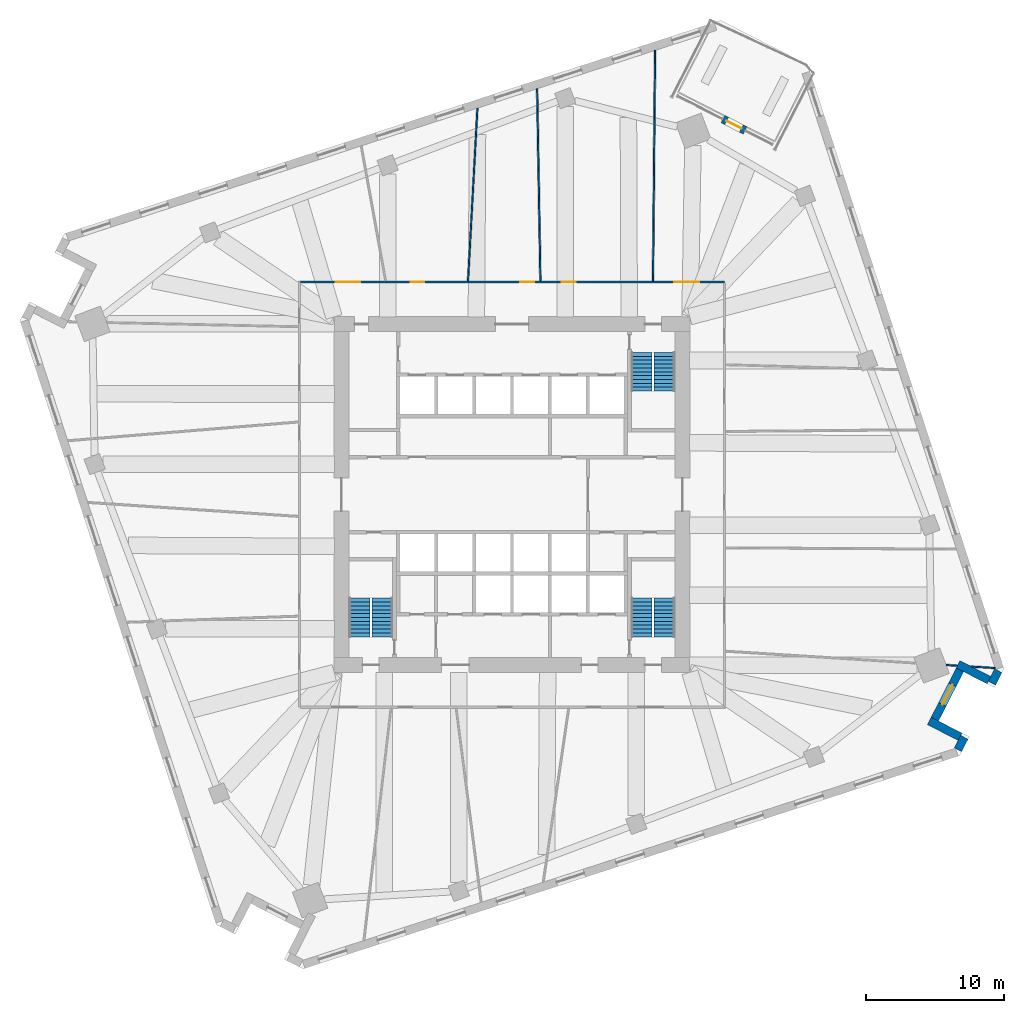
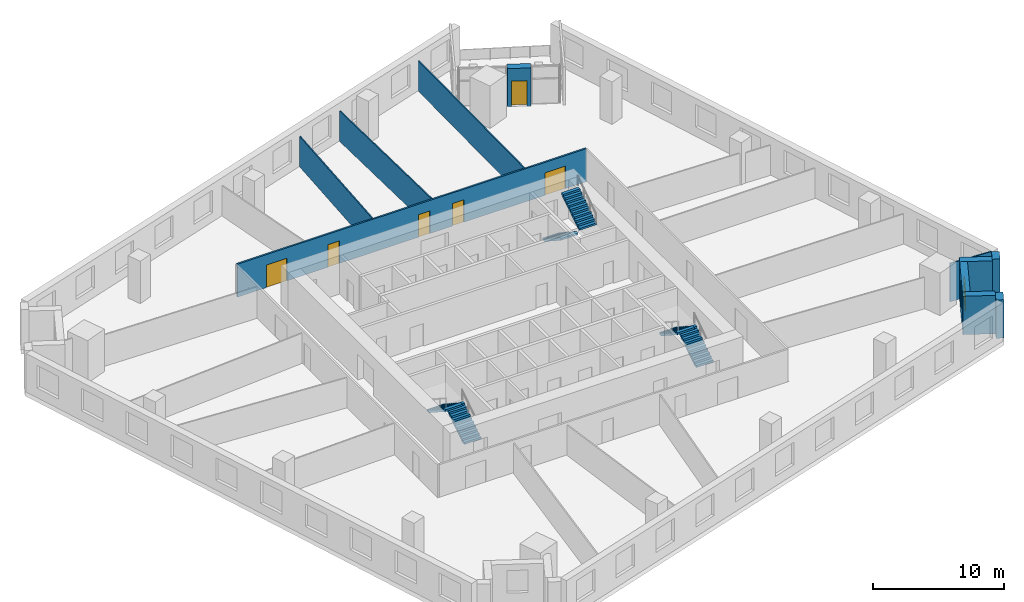
# One storey, part 10 of 12: 12 walls, 6 doors, 6 stair flights, 1 window, 7 openings, 3 elements without a shape of their own.
"""IFC4 building model written with IfcOpenShell, lengths in metres."""

from ifc_helpers import new_model, si_unit, direction, frame, frame_2d, origin, place, context, subcontext, project, spatial, polyline, rectangle, outline, extrude, material, layer, layer_set, type_object, element, fill, aggregate, save


model = new_model("IFC4")

# Units and contexts
model_context = context("Model", 3, precision=1e-05, world=origin(), true_north=direction((0.0, 1.0)))
body_context = subcontext(model_context, "Body", "Model", "MODEL_VIEW")
ifc_project = project(units=[si_unit("LENGTHUNIT", "METRE"), si_unit("AREAUNIT", "SQUARE_METRE"), si_unit("VOLUMEUNIT", "CUBIC_METRE"), si_unit("PLANEANGLEUNIT", "RADIAN"), si_unit("MASSUNIT", "GRAM", prefix="KILO")], contexts=[model_context])

# Site, building, storey
site_placement = place(None, origin())
site = spatial("IfcSite", under=ifc_project, at=site_placement, CompositionType="ELEMENT")
building_placement = place(site_placement, origin())
building = spatial("IfcBuilding", under=site, at=building_placement, Name="Dilmun Exchange Tower", CompositionType="ELEMENT")
storey_placement = place(building_placement, frame((0.0, 0.0, 94.10009765625)))
storey = spatial("IfcBuildingStorey", under=building, at=storey_placement, Name="L21", CompositionType="ELEMENT", Elevation=94.10009765625)

# Wall, openings, doors
ifc_material_1 = material(Name="Corridor wall 150")
ifc_layer_1 = layer(ifc_material_1, 0.14990234375)
ifc_layer_set_1 = layer_set([ifc_layer_1], Name="Corridor wall 150")
wall_type_1 = type_object("IfcWallType", Name="Corridor wall 150", PredefinedType="PARTITIONING", material=ifc_layer_set_1)
wall_1_placement = place(storey_placement, frame((-15.324951171875, 15.39990234375, 0.0), z_axis=(0.0, 0.0, 1.0), x_axis=(1.0, 0.0, 0.0)))
wall_1 = element("IfcWall", 1, at=wall_1_placement, inside=storey, type_object=wall_type_1, Name="Corridor wall", PredefinedType="PARTITIONING", context=body_context, shape_type="SweptSolid", body=[
    extrude(rectangle(XDim=30.724853515625, YDim=0.14990234375, at=frame_2d((15.3623046875, 0.0))), origin(), (0.0, 0.0, 1.0), 3.079833984375),
])
opening_1_placement = place(wall_1_placement, frame((2.550048828125, 0.0, 0.0)))
opening_1 = element("IfcOpeningElement", 2, at=opening_1_placement, cuts=wall_1, Name="Opening TF20-D04", PredefinedType="OPENING", context=body_context, shape_type="SweptSolid", body=[
    extrude(rectangle(XDim=1.800048828125, YDim=2.10009765625, at=frame_2d((0.89990234375, 1.050048828125))), frame((0.0, 0.0849609375, 0.0), z_axis=(0.0, -1.0, 0.0), x_axis=(1.0, 0.0, 0.0)), (0.0, 0.0, 1.0), 0.169921875),
])
opening_2_placement = place(wall_1_placement, frame((7.97998046875, 0.0, 0.0)))
opening_2 = element("IfcOpeningElement", 3, at=opening_2_placement, cuts=wall_1, Name="Opening TF20-D09", PredefinedType="OPENING", context=body_context, shape_type="SweptSolid", body=[
    extrude(rectangle(XDim=1.0, YDim=2.10009765625, at=frame_2d((0.5, 1.050048828125))), frame((0.0, 0.0849609375, 0.0), z_axis=(0.0, -1.0, 0.0), x_axis=(1.0, 0.0, 0.0)), (0.0, 0.0, 1.0), 0.169921875),
])
opening_3_placement = place(wall_1_placement, frame((15.935302734375, 0.0, 0.0)))
opening_3 = element("IfcOpeningElement", 4, at=opening_3_placement, cuts=wall_1, Name="Opening TF20-D10", PredefinedType="OPENING", context=body_context, shape_type="SweptSolid", body=[
    extrude(rectangle(XDim=1.0, YDim=2.10009765625, at=frame_2d((0.5, 1.050048828125))), frame((0.0, 0.0849609375, 0.0), z_axis=(0.0, -1.0, 0.0), x_axis=(1.0, 0.0, 0.0)), (0.0, 0.0, 1.0), 0.169921875),
])
opening_4_placement = place(wall_1_placement, frame((18.93408203125, 0.0, 0.0)))
opening_4 = element("IfcOpeningElement", 5, at=opening_4_placement, cuts=wall_1, Name="Opening TF20-D12", PredefinedType="OPENING", context=body_context, shape_type="SweptSolid", body=[
    extrude(rectangle(XDim=1.0, YDim=2.10009765625, at=frame_2d((0.5, 1.050048828125))), frame((0.0, 0.0849609375, 0.0), z_axis=(0.0, -1.0, 0.0), x_axis=(1.0, 0.0, 0.0)), (0.0, 0.0, 1.0), 0.169921875),
])
opening_5_placement = place(wall_1_placement, frame((27.087646484375, 0.0, 0.0)))
opening_5 = element("IfcOpeningElement", 6, at=opening_5_placement, cuts=wall_1, Name="Opening TF20-D15", PredefinedType="OPENING", context=body_context, shape_type="SweptSolid", body=[
    extrude(rectangle(XDim=1.800048828125, YDim=2.10009765625, at=frame_2d((0.89990234375, 1.050048828125))), frame((0.0, 0.0849609375, 0.0), z_axis=(0.0, -1.0, 0.0), x_axis=(1.0, 0.0, 0.0)), (0.0, 0.0, 1.0), 0.169921875),
])
ifc_material_2 = material(Name="Fire door 1000 x 2100")
door_type_1 = type_object("IfcDoorType", Name="Fire door 1000 x 2100", OperationType="NOTDEFINED", PredefinedType="DOOR", material=ifc_material_2)
door_1_placement = place(opening_2_placement, origin())
door_1 = element("IfcDoor", 7, at=door_1_placement, inside=storey, type_object=door_type_1, Name="Door TF20-D09", OperationType="SINGLE_SWING_LEFT", OverallHeight=2.10009765625, OverallWidth=1.0, PredefinedType="DOOR", context=body_context, shape_type="SweptSolid", body=[
    extrude(rectangle(XDim=1.0, YDim=2.10009765625, at=frame_2d((0.5, 1.050048828125))), frame((0.0, 0.02490234375, 0.0), z_axis=(0.0, -1.0, 0.0), x_axis=(1.0, 0.0, 0.0)), (0.0, 0.0, 1.0), 0.050048828125),
])
fill(opening_2, door_1)
door_2_placement = place(opening_3_placement, origin())
door_2 = element("IfcDoor", 8, at=door_2_placement, inside=storey, type_object=door_type_1, Name="Door TF20-D10", OperationType="SINGLE_SWING_RIGHT", OverallHeight=2.10009765625, OverallWidth=1.0, PredefinedType="DOOR", context=body_context, shape_type="SweptSolid", body=[
    extrude(rectangle(XDim=1.0, YDim=2.10009765625, at=frame_2d((0.5, 1.050048828125))), frame((0.0, 0.02490234375, 0.0), z_axis=(0.0, -1.0, 0.0), x_axis=(1.0, 0.0, 0.0)), (0.0, 0.0, 1.0), 0.050048828125),
])
fill(opening_3, door_2)
door_3_placement = place(opening_4_placement, origin())
door_3 = element("IfcDoor", 9, at=door_3_placement, inside=storey, type_object=door_type_1, Name="Door TF20-D12", OperationType="SINGLE_SWING_LEFT", OverallHeight=2.10009765625, OverallWidth=1.0, PredefinedType="DOOR", context=body_context, shape_type="SweptSolid", body=[
    extrude(rectangle(XDim=1.0, YDim=2.10009765625, at=frame_2d((0.5, 1.050048828125))), frame((0.0, 0.02490234375, 0.0), z_axis=(0.0, -1.0, 0.0), x_axis=(1.0, 0.0, 0.0)), (0.0, 0.0, 1.0), 0.050048828125),
])
fill(opening_4, door_3)
ifc_material_3 = material(Name="Fire door pair 1800 x 2100")
door_type_2 = type_object("IfcDoorType", Name="Fire door pair 1800 x 2100", OperationType="NOTDEFINED", PredefinedType="DOOR", material=ifc_material_3)
door_4_placement = place(opening_1_placement, origin())
door_4 = element("IfcDoor", 10, at=door_4_placement, inside=storey, type_object=door_type_2, Name="Door TF20-D04", OperationType="DOUBLE_DOOR_SINGLE_SWING", OverallHeight=2.10009765625, OverallWidth=1.800048828125, PredefinedType="DOOR", context=body_context, shape_type="SweptSolid", body=[
    extrude(rectangle(XDim=1.800048828125, YDim=2.10009765625, at=frame_2d((0.89990234375, 1.050048828125))), frame((0.0, 0.02490234375, 0.0), z_axis=(0.0, -1.0, 0.0), x_axis=(1.0, 0.0, 0.0)), (0.0, 0.0, 1.0), 0.050048828125),
])
fill(opening_1, door_4)
door_5_placement = place(opening_5_placement, origin())
door_5 = element("IfcDoor", 11, at=door_5_placement, inside=storey, type_object=door_type_2, Name="Door TF20-D15", OperationType="DOUBLE_DOOR_SINGLE_SWING", OverallHeight=2.10009765625, OverallWidth=1.800048828125, PredefinedType="DOOR", context=body_context, shape_type="SweptSolid", body=[
    extrude(rectangle(XDim=1.800048828125, YDim=2.10009765625, at=frame_2d((0.89990234375, 1.050048828125))), frame((0.0, 0.02490234375, 0.0), z_axis=(0.0, -1.0, 0.0), x_axis=(1.0, 0.0, 0.0)), (0.0, 0.0, 1.0), 0.050048828125),
])
fill(opening_5, door_5)

# Walls
ifc_material_4 = material(Name="Partition 100")
ifc_layer_2 = layer(ifc_material_4, 0.10009765625)
ifc_layer_set_2 = layer_set([ifc_layer_2], Name="Partition 100")
wall_type_2 = type_object("IfcWallType", Name="Partition 100", PredefinedType="PARTITIONING", material=ifc_layer_set_2)
wall_2_placement = place(storey_placement, frame((-3.185791015625, 15.477783203125, 0.0), z_axis=(0.0, 0.0, 1.0), x_axis=(0.054322200438, 0.998523459183, 0.0)))
element("IfcWall", 12, at=wall_2_placement, inside=storey, type_object=wall_type_2, Name="Partition", PredefinedType="PARTITIONING", context=body_context, shape_type="SweptSolid", body=[
    extrude(rectangle(XDim=12.53466796875, YDim=0.10009765625, at=frame_2d((6.267333984375, 0.0))), origin(), (0.0, 0.0, 1.0), 2.829833984375),
])
wall_3_placement = place(storey_placement, frame((1.81982421875, 29.3994140625, 0.0), z_axis=(0.0, 0.0, 1.0), x_axis=(0.01714604741, -0.999852995724, 0.0)))
element("IfcWall", 13, at=wall_3_placement, inside=storey, type_object=wall_type_2, Name="Partition", PredefinedType="PARTITIONING", context=body_context, shape_type="SweptSolid", body=[
    extrude(rectangle(XDim=13.925537109375, YDim=0.10009765625, at=frame_2d((6.962890625, 0.0))), origin(), (0.0, 0.0, 1.0), 2.829833984375),
])
wall_4_placement = place(storey_placement, frame((10.213623046875, 15.475341796875, 0.0), z_axis=(0.0, 0.0, 1.0), x_axis=(0.00896123542, 0.999959847324, 0.0)))
element("IfcWall", 14, at=wall_4_placement, inside=storey, type_object=wall_type_2, Name="Partition", PredefinedType="PARTITIONING", context=body_context, shape_type="SweptSolid", body=[
    extrude(rectangle(XDim=16.70068359375, YDim=0.10009765625, at=frame_2d((8.350341796875, 0.0))), origin(), (0.0, 0.0, 1.0), 2.829833984375),
])
wall_5_placement = place(storey_placement, frame((31.451904296875, -12.341552734375, 0.0), z_axis=(0.0, 0.0, 1.0), x_axis=(0.998038567495, -0.062602059006, 0.0)))
element("IfcWall", 15, at=wall_5_placement, inside=storey, type_object=wall_type_2, Name="Partition", PredefinedType="PARTITIONING", context=body_context, shape_type="SweptSolid", body=[
    extrude(rectangle(XDim=0.815185546875, YDim=0.10009765625, at=frame_2d((0.40771484375, 0.0))), origin(), (0.0, 0.0, 1.0), 3.579833984375),
])
wall_6_placement = place(storey_placement, frame((33.294677734375, -12.45703125, 0.0), z_axis=(0.0, 0.0, 1.0), x_axis=(0.998041396796, -0.062556936314, 0.0)))
element("IfcWall", 16, at=wall_6_placement, inside=storey, type_object=wall_type_2, Name="Partition", PredefinedType="PARTITIONING", context=body_context, shape_type="SweptSolid", body=[
    extrude(rectangle(XDim=1.70166015625, YDim=0.10009765625, at=frame_2d((0.850830078125, 0.0))), origin(), (0.0, 0.0, 1.0), 3.579833984375),
])
ifc_material_5 = material(Name="Precast concrete C50/60", Category="concrete")
ifc_layer_3 = layer(ifc_material_5, 0.60009765625)
ifc_layer_set_3 = layer_set([ifc_layer_3], Name="Precast concrete C50/60")
wall_type_3 = type_object("IfcWallType", Name="Precast stone-clad wall 600", PredefinedType="STANDARD", material=ifc_layer_set_3)
wall_7_placement = place(storey_placement, frame((32.308837890625, -18.47900390625, 0.0), z_axis=(0.0, 0.0, 1.0), x_axis=(0.453864300157, 0.89107081483, 0.0)))
element("IfcWall", 17, at=wall_7_placement, inside=storey, type_object=wall_type_3, Name="Facade wall L21-16", PredefinedType="STANDARD", context=body_context, shape_type="SweptSolid", body=[
    extrude(rectangle(XDim=1.01123046875, YDim=0.60009765625, at=frame_2d((0.505615234375, 0.0))), origin(), (0.0, 0.0, 1.0), 3.579833984375),
])
wall_8_placement = place(storey_placement, frame((32.455078125, -17.531005859375, 0.0), z_axis=(0.0, 0.0, 1.0), x_axis=(-0.890982846276, 0.454036967263, 0.0)))
element("IfcWall", 18, at=wall_8_placement, inside=storey, type_object=wall_type_3, Name="Facade wall L21-17", PredefinedType="STANDARD", context=body_context, shape_type="SweptSolid", body=[
    extrude(rectangle(XDim=2.499755859375, YDim=0.60009765625, at=frame_2d((1.25, 0.0))), origin(), (0.0, 0.0, 1.0), 3.579833984375),
])

# Wall, opening, window
wall_9_placement = place(storey_placement, frame((30.631103515625, -16.264892578125, 0.0), z_axis=(0.0, 0.0, 1.0), x_axis=(0.454011719911, 0.890995711653, 0.0)))
wall_9 = element("IfcWall", 19, at=wall_9_placement, inside=storey, type_object=wall_type_3, Name="Facade wall L21-18", PredefinedType="STANDARD", context=body_context, shape_type="SweptSolid", body=[
    extrude(rectangle(XDim=4.000244140625, YDim=0.60009765625, at=frame_2d((2.0, 0.0))), origin(), (0.0, 0.0, 1.0), 3.579833984375),
])
opening_6_placement = place(wall_9_placement, frame((1.199951171875, 0.0, 0.89990234375)))
opening_6 = element("IfcOpeningElement", 20, at=opening_6_placement, cuts=wall_9, Name="Opening W160-210", PredefinedType="OPENING", context=body_context, shape_type="SweptSolid", body=[
    extrude(rectangle(XDim=1.60009765625, YDim=2.10009765625, at=frame_2d((0.800048828125, 1.050048828125))), frame((0.0, 0.31005859375, 0.0), z_axis=(0.0, -1.0, 0.0), x_axis=(1.0, 0.0, 0.0)), (0.0, 0.0, 1.0), 0.6201171875),
])
ifc_material_6 = material(Name="Clear low-emissivity glass in aluminium frame", Category="aluminium")
window_type = type_object("IfcWindowType", Name="Punched window 1600 x 2100", PartitioningType="DOUBLE_PANEL_VERTICAL", PredefinedType="WINDOW", material=ifc_material_6)
window_placement = place(opening_6_placement, origin())
window = element("IfcWindow", 21, at=window_placement, inside=storey, type_object=window_type, Name="Window 19.1", OverallHeight=2.10009765625, OverallWidth=1.60009765625, PartitioningType="SINGLE_PANEL", PredefinedType="WINDOW", context=body_context, shape_type="SweptSolid", body=[
    extrude(rectangle(XDim=1.60009765625, YDim=2.10009765625, at=frame_2d((0.800048828125, 1.050048828125))), frame((0.0, 0.030029296875, 0.0), z_axis=(0.0, -1.0, 0.0), x_axis=(1.0, 0.0, 0.0)), (0.0, 0.0, 1.0), 0.06005859375),
])
fill(opening_6, window)

# Walls
wall_10_placement = place(storey_placement, frame((32.31591796875, -12.29736328125, 0.0), z_axis=(0.0, 0.0, 1.0), x_axis=(0.891023102287, -0.453957961921, 0.0)))
element("IfcWall", 22, at=wall_10_placement, inside=storey, type_object=wall_type_3, Name="Facade wall L21-19", PredefinedType="STANDARD", context=body_context, shape_type="SweptSolid", body=[
    extrude(rectangle(XDim=2.500244140625, YDim=0.60009765625, at=frame_2d((1.25, 0.0))), origin(), (0.0, 0.0, 1.0), 3.579833984375),
])
wall_11_placement = place(storey_placement, frame((34.765380859375, -13.65771484375, 0.0), z_axis=(0.0, 0.0, 1.0), x_axis=(0.454055955632, 0.890973169717, 0.0)))
element("IfcWall", 23, at=wall_11_placement, inside=storey, type_object=wall_type_3, Name="Facade wall L21-20", PredefinedType="STANDARD", context=body_context, shape_type="SweptSolid", body=[
    extrude(rectangle(XDim=1.011474609375, YDim=0.60009765625, at=frame_2d((0.505859375, 0.0))), origin(), (0.0, 0.0, 1.0), 3.579833984375),
])

# Wall, opening, door
wall_12_placement = place(storey_placement, frame((16.884033203125, 26.387451171875, 0.0), z_axis=(0.0, 0.0, 1.0), x_axis=(-0.891010511763, 0.453982673599, 0.0)))
wall_12 = element("IfcWall", 24, at=wall_12_placement, inside=storey, type_object=wall_type_3, Name="Facade wall L21-01-D", PredefinedType="STANDARD", context=body_context, shape_type="SweptSolid", body=[
    extrude(rectangle(XDim=1.800048828125, YDim=0.60009765625, at=frame_2d((0.89990234375, 0.0))), origin(), (0.0, 0.0, 1.0), 3.579833984375),
])
opening_7_placement = place(wall_12_placement, frame((0.300048828125, 0.0, 0.0)))
opening_7 = element("IfcOpeningElement", 25, at=opening_7_placement, cuts=wall_12, Name="Opening GD-1", PredefinedType="OPENING", context=body_context, shape_type="SweptSolid", body=[
    extrude(rectangle(XDim=1.199951171875, YDim=2.39990234375, at=frame_2d((0.60009765625, 1.199951171875))), frame((0.0, 0.31005859375, 0.0), z_axis=(0.0, -1.0, 0.0), x_axis=(1.0, 0.0, 0.0)), (0.0, 0.0, 1.0), 0.6201171875),
])
door_type_3 = type_object("IfcDoorType", Name="Glazed garden door 1200 x 2400", OperationType="SINGLE_SWING_LEFT", PredefinedType="DOOR", material=ifc_material_6)
door_6_placement = place(opening_7_placement, origin())
door_6 = element("IfcDoor", 26, at=door_6_placement, inside=storey, type_object=door_type_3, Name="Garden terrace door", OperationType="SINGLE_SWING_LEFT", OverallHeight=2.39990234375, OverallWidth=1.199951171875, PredefinedType="DOOR", context=body_context, shape_type="SweptSolid", body=[
    extrude(rectangle(XDim=1.199951171875, YDim=2.39990234375, at=frame_2d((0.60009765625, 1.199951171875))), frame((0.0, 0.02490234375, 0.0), z_axis=(0.0, -1.0, 0.0), x_axis=(1.0, 0.0, 0.0)), (0.0, 0.0, 1.0), 0.050048828125),
])
fill(opening_7, door_6)

# Stair, stair flights
ifc_material_7 = material(Name="Concrete C40/50", Category="concrete")
stair_type = type_object("IfcStairType", Name="Exit stair 1500 half-turn", PredefinedType="HALF_TURN_STAIR", material=ifc_material_7)
stair_1_placement = place(storey_placement, origin())
stair_1 = element("IfcStair", 27, at=stair_1_placement, inside=storey, type_object=stair_type, Name="L21 Protected exit stair ST1", PredefinedType="HALF_TURN_STAIR")
stair_flight_type = type_object("IfcStairFlightType", Name="Exit stair flight 1500", PredefinedType="STRAIGHT", material=ifc_material_7)
stair_flight_1_placement = place(storey_placement, frame((9.39990234375, 10.300048828125, 0.0), z_axis=(0.0, 0.0, 1.0), x_axis=(0.0, -1.0, 0.0)))
stair_flight_1 = element("IfcStairFlight", 28, at=stair_flight_1_placement, type_object=stair_flight_type, Name="ST1 flight 1", NumberOfRisers=11, NumberOfTreads=10, PredefinedType="STRAIGHT", RiserHeight=0.181818182, TreadLength=0.28, context=body_context, shape_type="SweptSolid", body=[
    extrude(outline(polyline([(0.0, 0.0), (0.0, 0.181884765625), (0.280029296875, 0.181884765625), (0.280029296875, 0.363525390625), (0.56005859375, 0.363525390625), (0.56005859375, 0.54541015625), (0.840087890625, 0.54541015625), (0.840087890625, 0.727294921875), (1.1201171875, 0.727294921875), (1.1201171875, 0.9091796875), (1.39990234375, 0.9091796875), (1.39990234375, 1.0908203125), (1.679931640625, 1.0908203125), (1.679931640625, 1.272705078125), (1.9599609375, 1.272705078125), (1.9599609375, 1.45458984375), (2.239990234375, 1.45458984375), (2.239990234375, 1.636474609375), (2.52001953125, 1.636474609375), (2.52001953125, 1.818115234375), (2.800048828125, 1.818115234375), (2.800048828125, 2.0), (2.800048828125, 1.639404296875), (0.275146484375, 0.0), (0.0, 0.0)])), frame((0.0, 0.75, 0.0), z_axis=(0.0, -1.0, 0.0), x_axis=(1.0, 0.0, 0.0)), (0.0, 0.0, 1.0), 1.5),
])
stair_flight_2_placement = place(storey_placement, frame((11.050048828125, 7.5, 2.0), z_axis=(0.0, 0.0, 1.0), x_axis=(0.0, 1.0, 0.0)))
stair_flight_2 = element("IfcStairFlight", 29, at=stair_flight_2_placement, type_object=stair_flight_type, Name="ST1 flight 2", NumberOfRisers=11, NumberOfTreads=10, PredefinedType="STRAIGHT", RiserHeight=0.181818182, TreadLength=0.28, context=body_context, shape_type="SweptSolid", body=[
    extrude(outline(polyline([(0.0, 0.0), (0.0, 0.181884765625), (0.280029296875, 0.181884765625), (0.280029296875, 0.363525390625), (0.56005859375, 0.363525390625), (0.56005859375, 0.54541015625), (0.840087890625, 0.54541015625), (0.840087890625, 0.727294921875), (1.1201171875, 0.727294921875), (1.1201171875, 0.9091796875), (1.39990234375, 0.9091796875), (1.39990234375, 1.0908203125), (1.679931640625, 1.0908203125), (1.679931640625, 1.272705078125), (1.9599609375, 1.272705078125), (1.9599609375, 1.45458984375), (2.239990234375, 1.45458984375), (2.239990234375, 1.636474609375), (2.52001953125, 1.636474609375), (2.52001953125, 1.818115234375), (2.800048828125, 1.818115234375), (2.800048828125, 2.0), (2.800048828125, 1.639404296875), (0.275146484375, 0.0), (0.0, 0.0)])), frame((0.0, 0.75, 0.0), z_axis=(0.0, -1.0, 0.0), x_axis=(1.0, 0.0, 0.0)), (0.0, 0.0, 1.0), 1.5),
])
aggregate(stair_1, [stair_flight_1, stair_flight_2])

stair_2_placement = place(storey_placement, origin())
stair_2 = element("IfcStair", 30, at=stair_2_placement, inside=storey, type_object=stair_type, Name="L21 Protected exit stair ST2", PredefinedType="HALF_TURN_STAIR")
stair_flight_3_placement = place(storey_placement, frame((-9.39990234375, -10.300048828125, 0.0), z_axis=(0.0, 0.0, 1.0), x_axis=(0.0, 1.0, 0.0)))
stair_flight_3 = element("IfcStairFlight", 31, at=stair_flight_3_placement, type_object=stair_flight_type, Name="ST2 flight 1", NumberOfRisers=11, NumberOfTreads=10, PredefinedType="STRAIGHT", RiserHeight=0.181818182, TreadLength=0.28, context=body_context, shape_type="SweptSolid", body=[
    extrude(outline(polyline([(0.0, 0.0), (0.0, 0.181884765625), (0.280029296875, 0.181884765625), (0.280029296875, 0.363525390625), (0.56005859375, 0.363525390625), (0.56005859375, 0.54541015625), (0.840087890625, 0.54541015625), (0.840087890625, 0.727294921875), (1.1201171875, 0.727294921875), (1.1201171875, 0.9091796875), (1.39990234375, 0.9091796875), (1.39990234375, 1.0908203125), (1.679931640625, 1.0908203125), (1.679931640625, 1.272705078125), (1.9599609375, 1.272705078125), (1.9599609375, 1.45458984375), (2.239990234375, 1.45458984375), (2.239990234375, 1.636474609375), (2.52001953125, 1.636474609375), (2.52001953125, 1.818115234375), (2.800048828125, 1.818115234375), (2.800048828125, 2.0), (2.800048828125, 1.639404296875), (0.275146484375, 0.0), (0.0, 0.0)])), frame((0.0, 0.75, 0.0), z_axis=(0.0, -1.0, 0.0), x_axis=(1.0, 0.0, 0.0)), (0.0, 0.0, 1.0), 1.5),
])
stair_flight_4_placement = place(storey_placement, frame((-11.050048828125, -7.5, 2.0), z_axis=(0.0, 0.0, 1.0), x_axis=(0.0, -1.0, 0.0)))
stair_flight_4 = element("IfcStairFlight", 32, at=stair_flight_4_placement, type_object=stair_flight_type, Name="ST2 flight 2", NumberOfRisers=11, NumberOfTreads=10, PredefinedType="STRAIGHT", RiserHeight=0.181818182, TreadLength=0.28, context=body_context, shape_type="SweptSolid", body=[
    extrude(outline(polyline([(0.0, 0.0), (0.0, 0.181884765625), (0.280029296875, 0.181884765625), (0.280029296875, 0.363525390625), (0.56005859375, 0.363525390625), (0.56005859375, 0.54541015625), (0.840087890625, 0.54541015625), (0.840087890625, 0.727294921875), (1.1201171875, 0.727294921875), (1.1201171875, 0.9091796875), (1.39990234375, 0.9091796875), (1.39990234375, 1.0908203125), (1.679931640625, 1.0908203125), (1.679931640625, 1.272705078125), (1.9599609375, 1.272705078125), (1.9599609375, 1.45458984375), (2.239990234375, 1.45458984375), (2.239990234375, 1.636474609375), (2.52001953125, 1.636474609375), (2.52001953125, 1.818115234375), (2.800048828125, 1.818115234375), (2.800048828125, 2.0), (2.800048828125, 1.639404296875), (0.275146484375, 0.0), (0.0, 0.0)])), frame((0.0, 0.75, 0.0), z_axis=(0.0, -1.0, 0.0), x_axis=(1.0, 0.0, 0.0)), (0.0, 0.0, 1.0), 1.5),
])
aggregate(stair_2, [stair_flight_3, stair_flight_4])

stair_3_placement = place(storey_placement, origin())
stair_3 = element("IfcStair", 33, at=stair_3_placement, inside=storey, type_object=stair_type, Name="L21 Protected exit stair ST3", PredefinedType="HALF_TURN_STAIR")
stair_flight_5_placement = place(storey_placement, frame((11.050048828125, -10.300048828125, 0.0), z_axis=(0.0, 0.0, 1.0), x_axis=(0.0, 1.0, 0.0)))
stair_flight_5 = element("IfcStairFlight", 34, at=stair_flight_5_placement, type_object=stair_flight_type, Name="ST3 flight 1", NumberOfRisers=11, NumberOfTreads=10, PredefinedType="STRAIGHT", RiserHeight=0.181818182, TreadLength=0.28, context=body_context, shape_type="SweptSolid", body=[
    extrude(outline(polyline([(0.0, 0.0), (0.0, 0.181884765625), (0.280029296875, 0.181884765625), (0.280029296875, 0.363525390625), (0.56005859375, 0.363525390625), (0.56005859375, 0.54541015625), (0.840087890625, 0.54541015625), (0.840087890625, 0.727294921875), (1.1201171875, 0.727294921875), (1.1201171875, 0.9091796875), (1.39990234375, 0.9091796875), (1.39990234375, 1.0908203125), (1.679931640625, 1.0908203125), (1.679931640625, 1.272705078125), (1.9599609375, 1.272705078125), (1.9599609375, 1.45458984375), (2.239990234375, 1.45458984375), (2.239990234375, 1.636474609375), (2.52001953125, 1.636474609375), (2.52001953125, 1.818115234375), (2.800048828125, 1.818115234375), (2.800048828125, 2.0), (2.800048828125, 1.639404296875), (0.275146484375, 0.0), (0.0, 0.0)])), frame((0.0, 0.75, 0.0), z_axis=(0.0, -1.0, 0.0), x_axis=(1.0, 0.0, 0.0)), (0.0, 0.0, 1.0), 1.5),
])
stair_flight_6_placement = place(storey_placement, frame((9.39990234375, -7.5, 2.0), z_axis=(0.0, 0.0, 1.0), x_axis=(0.0, -1.0, 0.0)))
stair_flight_6 = element("IfcStairFlight", 35, at=stair_flight_6_placement, type_object=stair_flight_type, Name="ST3 flight 2", NumberOfRisers=11, NumberOfTreads=10, PredefinedType="STRAIGHT", RiserHeight=0.181818182, TreadLength=0.28, context=body_context, shape_type="SweptSolid", body=[
    extrude(outline(polyline([(0.0, 0.0), (0.0, 0.181884765625), (0.280029296875, 0.181884765625), (0.280029296875, 0.363525390625), (0.56005859375, 0.363525390625), (0.56005859375, 0.54541015625), (0.840087890625, 0.54541015625), (0.840087890625, 0.727294921875), (1.1201171875, 0.727294921875), (1.1201171875, 0.9091796875), (1.39990234375, 0.9091796875), (1.39990234375, 1.0908203125), (1.679931640625, 1.0908203125), (1.679931640625, 1.272705078125), (1.9599609375, 1.272705078125), (1.9599609375, 1.45458984375), (2.239990234375, 1.45458984375), (2.239990234375, 1.636474609375), (2.52001953125, 1.636474609375), (2.52001953125, 1.818115234375), (2.800048828125, 1.818115234375), (2.800048828125, 2.0), (2.800048828125, 1.639404296875), (0.275146484375, 0.0), (0.0, 0.0)])), frame((0.0, 0.75, 0.0), z_axis=(0.0, -1.0, 0.0), x_axis=(1.0, 0.0, 0.0)), (0.0, 0.0, 1.0), 1.5),
])
aggregate(stair_3, [stair_flight_5, stair_flight_6])

save(model, "model.ifc")
